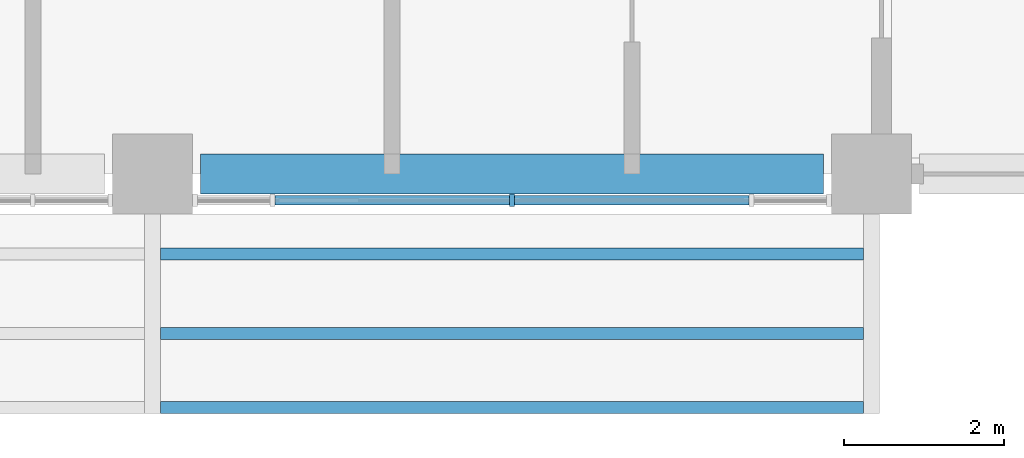
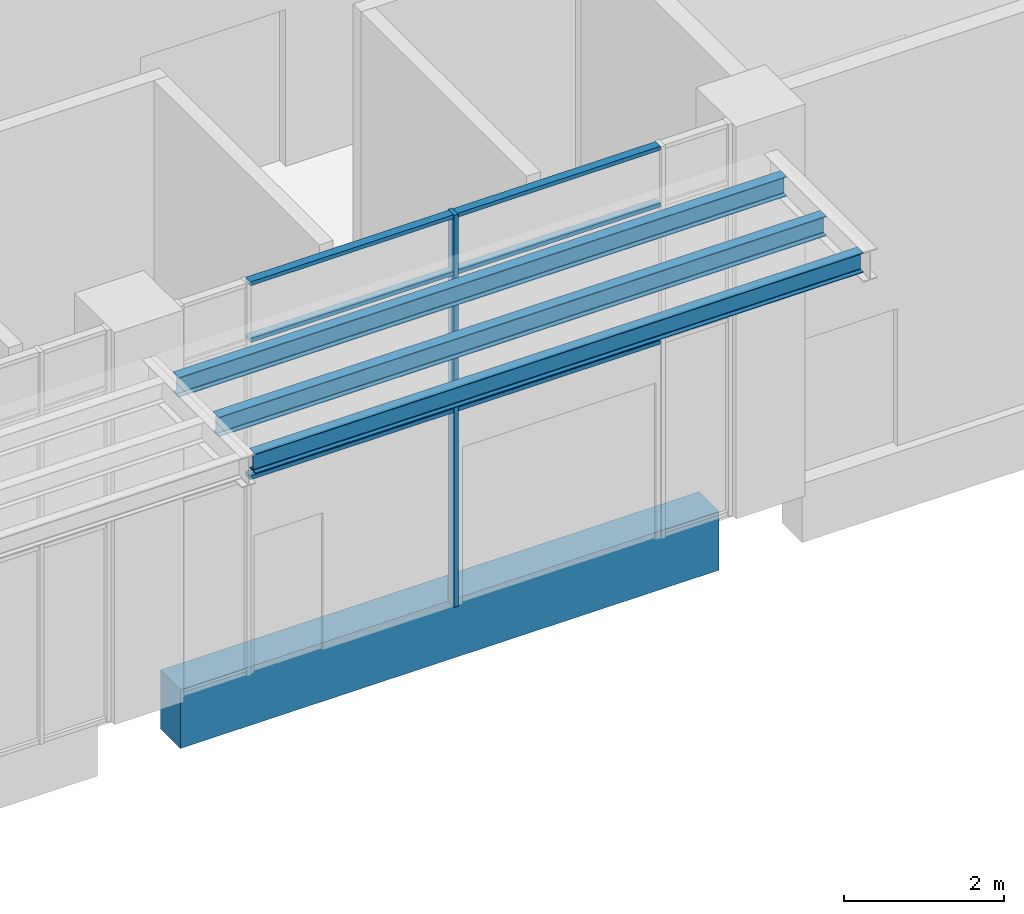
# One storey, part 26 of 86: 7 members, 4 beams, 1 element without a shape of its own.
"""IFC4 building model written with IfcOpenShell, lengths in metres."""

from ifc_helpers import new_model, si_unit, direction, frame, origin, origin_2d, place, context, subcontext, project, spatial, rectangle, i_section, extrude, material, layer, layer_set, material_profile, profile_set, type_object, element, aggregate, save


model = new_model("IFC4")

# Units and contexts
model_context = context("Model", 3, precision=1e-05, world=origin(), true_north=direction((0.0, 1.0)))
body_context = subcontext(model_context, "Body", "Model", "MODEL_VIEW")
ifc_project = project(units=[si_unit("LENGTHUNIT", "METRE"), si_unit("AREAUNIT", "SQUARE_METRE"), si_unit("VOLUMEUNIT", "CUBIC_METRE"), si_unit("PLANEANGLEUNIT", "RADIAN"), si_unit("MASSUNIT", "GRAM", prefix="KILO")], contexts=[model_context])

# Site, building, storey
site_placement = place(None, origin())
site = spatial("IfcSite", under=ifc_project, at=site_placement, CompositionType="ELEMENT")
building_placement = place(site_placement, origin())
building = spatial("IfcBuilding", under=site, at=building_placement, Name="Guidao Yard Department Store", CompositionType="ELEMENT")
storey_placement = place(building_placement, origin())
storey = spatial("IfcBuildingStorey", under=building, at=storey_placement, Name="L00", CompositionType="ELEMENT", Elevation=0.0)

# Beams
ifc_material_1 = material(Name="Steel Q355B", Category="steel")
ifc_material_profile_1 = material_profile(ifc_material_1, i_section(OverallWidth=0.14990234375, OverallDepth=0.300048828125, WebThickness=0.006591796875, FlangeThickness=0.009033203125, FilletRadius=0.012939453125, at=origin_2d()), Name="HN 300x150x6.5x9")
ifc_profile_set_1 = profile_set([ifc_material_profile_1], Name="Steel Q355B")
beam_type_1 = type_object("IfcBeamType", Name="Canopy beam HN 300x150x6.5x9", PredefinedType="BEAM", material=ifc_profile_set_1)
beam_1_placement = place(storey_placement, frame((153.10009765625, -2.925048828125, 5.300048828125), z_axis=(1.0, 0.0, 0.0), x_axis=(0.0, 1.0, 0.0)))
element("IfcBeam", 1, at=beam_1_placement, inside=storey, type_object=beam_type_1, Name="Canopy edge beam OS-2", PredefinedType="BEAM", context=body_context, shape_type="SweptSolid", body=[
    extrude(i_section(OverallWidth=0.14990234375, OverallDepth=0.300048828125, WebThickness=0.006591796875, FlangeThickness=0.009033203125, FilletRadius=0.012939453125, at=origin_2d()), origin(), (0.0, 0.0, 1.0), 8.7998046875),
])
for number, where, z_axis, x_axis, name in (
    (2, (153.10009765625, -1.0, 5.300048828125), (1.0, 0.0, 0.0), (0.0, 1.0, 0.0), "Canopy joist OS-2.1"),
    (3, (153.10009765625, -2.0, 5.300048828125), (1.0, 0.0, 0.0), (0.0, 1.0, 0.0), "Canopy joist OS-2.2"),
):
    element("IfcBeam", number, at=place(storey_placement, frame(where, z_axis=z_axis, x_axis=x_axis)), inside=storey, type_object=beam_type_1, Name=name, PredefinedType="JOIST", context=body_context, shape_type="SweptSolid", body=[
        extrude(i_section(OverallWidth=0.14990234375, OverallDepth=0.300048828125, WebThickness=0.006591796875, FlangeThickness=0.009033203125, FilletRadius=0.012939453125, at=origin_2d()), origin(), (0.0, 0.0, 1.0), 8.7998046875),
    ])

# Curtain wall, member
ifc_material_2 = material(Name="Aluminium and glass", Category="aluminium")
ifc_layer = layer(ifc_material_2, 0.159912109375)
ifc_layer_set = layer_set([ifc_layer], Name="Unitised curtain wall CW4 1500 module")
curtain_wall_type = type_object("IfcCurtainWallType", Name="Unitised curtain wall CW4 1500 module", PredefinedType="NOTDEFINED", material=ifc_layer_set)
curtain_wall_placement = place(storey_placement, origin())
curtain_wall = element("IfcCurtainWall", 4, at=curtain_wall_placement, inside=storey, type_object=curtain_wall_type, Name="Unitised curtain wall", PredefinedType="NOTDEFINED")
ifc_material_3 = material(Name="Aluminium 6063-T5", Category="aluminium")
ifc_material_profile_2 = material_profile(ifc_material_3, rectangle(XDim=0.06005859375, YDim=0.159912109375, at=origin_2d()), Name="Mullion M1 60 x 160 aluminium pressure plate")
ifc_profile_set_2 = profile_set([ifc_material_profile_2], Name="Aluminium 6063-T5")
member_type_1 = type_object("IfcMemberType", Name="Mullion M1 60 x 160 aluminium pressure plate", PredefinedType="MULLION", material=ifc_profile_set_2)
member_1_placement = place(storey_placement, frame((157.5, -0.330078125, 0.0), z_axis=(0.0, 0.0, 1.0), x_axis=(-1.0, 0.0, 0.0)))
member_1 = element("IfcMember", 5, at=member_1_placement, type_object=member_type_1, Name="CW-OW-L00-03 mullion 3", PredefinedType="MULLION", context=body_context, shape_type="SweptSolid", body=[
    extrude(rectangle(XDim=0.06005859375, YDim=0.159912109375, at=origin_2d()), origin(), (0.0, 0.0, 1.0), 6.0),
])

# Beam
ifc_material_4 = material(Name="Concrete C40", Category="concrete")
ifc_material_profile_3 = material_profile(ifc_material_4, rectangle(XDim=0.5, YDim=0.89990234375, at=origin_2d()), Name="Spandrel beam 500 x 900 C40")
ifc_profile_set_3 = profile_set([ifc_material_profile_3], Name="Concrete C40")
beam_type_2 = type_object("IfcBeamType", Name="Spandrel beam 500 x 900 C40", PredefinedType="SPANDREL", material=ifc_profile_set_3)
beam_2_placement = place(storey_placement, frame((153.60009765625, 0.0, -0.449951171875), z_axis=(1.0, 0.0, 0.0), x_axis=(0.0, 1.0, 0.0)))
element("IfcBeam", 6, at=beam_2_placement, inside=storey, type_object=beam_type_2, Name="Beam FB09", PredefinedType="SPANDREL", context=body_context, shape_type="SweptSolid", body=[
    extrude(rectangle(XDim=0.5, YDim=0.89990234375, at=origin_2d()), origin(), (0.0, 0.0, 1.0), 7.7998046875),
])

# Member
ifc_material_5 = material(Name="Aluminium 6063-T5", Category="aluminium")
ifc_material_profile_4 = material_profile(ifc_material_5, rectangle(XDim=0.1201171875, YDim=0.06005859375, at=origin_2d()), Name="Transom T1 60 x 120 aluminium pressure plate")
ifc_profile_set_4 = profile_set([ifc_material_profile_4], Name="Aluminium 6063-T5")
member_type_2 = type_object("IfcMemberType", Name="Transom T1 60 x 120 aluminium pressure plate", PredefinedType="USERDEFINED", material=ifc_profile_set_4)
member_2_placement = place(storey_placement, frame((157.469970703125, -0.330078125, 3.0), z_axis=(-1.0, 0.0, 0.0), x_axis=(0.0, -1.0, 0.0)))
member_2 = element("IfcMember", 7, at=member_2_placement, type_object=member_type_2, Name="CW-OW-L00-03 transom 2.2", ObjectType="TRANSOM", PredefinedType="USERDEFINED", context=body_context, shape_type="SweptSolid", body=[
    extrude(rectangle(XDim=0.1201171875, YDim=0.06005859375, at=origin_2d()), origin(), (0.0, 0.0, 1.0), 2.93994140625),
])

member_3_placement = place(storey_placement, frame((157.469970703125, -0.330078125, 5.10009765625), z_axis=(-1.0, 0.0, 0.0), x_axis=(0.0, -1.0, 0.0)))
member_3 = element("IfcMember", 8, at=member_3_placement, type_object=member_type_2, Name="CW-OW-L00-03 transom 2.3", ObjectType="TRANSOM", PredefinedType="USERDEFINED", context=body_context, shape_type="SweptSolid", body=[
    extrude(rectangle(XDim=0.1201171875, YDim=0.06005859375, at=origin_2d()), origin(), (0.0, 0.0, 1.0), 2.93994140625),
])

member_4_placement = place(storey_placement, frame((157.469970703125, -0.330078125, 5.969970703125), z_axis=(-1.0, 0.0, 0.0), x_axis=(0.0, -1.0, 0.0)))
member_4 = element("IfcMember", 9, at=member_4_placement, type_object=member_type_2, Name="CW-OW-L00-03 transom 2.4", ObjectType="TRANSOM", PredefinedType="USERDEFINED", context=body_context, shape_type="SweptSolid", body=[
    extrude(rectangle(XDim=0.1201171875, YDim=0.06005859375, at=origin_2d()), origin(), (0.0, 0.0, 1.0), 2.93994140625),
])

member_5_placement = place(storey_placement, frame((160.469970703125, -0.330078125, 3.0), z_axis=(-1.0, 0.0, 0.0), x_axis=(0.0, -1.0, 0.0)))
member_5 = element("IfcMember", 10, at=member_5_placement, type_object=member_type_2, Name="CW-OW-L00-03 transom 3.2", ObjectType="TRANSOM", PredefinedType="USERDEFINED", context=body_context, shape_type="SweptSolid", body=[
    extrude(rectangle(XDim=0.1201171875, YDim=0.06005859375, at=origin_2d()), origin(), (0.0, 0.0, 1.0), 2.93994140625),
])

member_6_placement = place(storey_placement, frame((160.469970703125, -0.330078125, 5.10009765625), z_axis=(-1.0, 0.0, 0.0), x_axis=(0.0, -1.0, 0.0)))
member_6 = element("IfcMember", 11, at=member_6_placement, type_object=member_type_2, Name="CW-OW-L00-03 transom 3.3", ObjectType="TRANSOM", PredefinedType="USERDEFINED", context=body_context, shape_type="SweptSolid", body=[
    extrude(rectangle(XDim=0.1201171875, YDim=0.06005859375, at=origin_2d()), origin(), (0.0, 0.0, 1.0), 2.93994140625),
])

member_7_placement = place(storey_placement, frame((160.469970703125, -0.330078125, 5.969970703125), z_axis=(-1.0, 0.0, 0.0), x_axis=(0.0, -1.0, 0.0)))
member_7 = element("IfcMember", 12, at=member_7_placement, type_object=member_type_2, Name="CW-OW-L00-03 transom 3.4", ObjectType="TRANSOM", PredefinedType="USERDEFINED", context=body_context, shape_type="SweptSolid", body=[
    extrude(rectangle(XDim=0.1201171875, YDim=0.06005859375, at=origin_2d()), origin(), (0.0, 0.0, 1.0), 2.93994140625),
])

aggregate(curtain_wall, [member_1, member_2, member_3, member_4, member_5, member_6, member_7])

save(model, "model.ifc")
